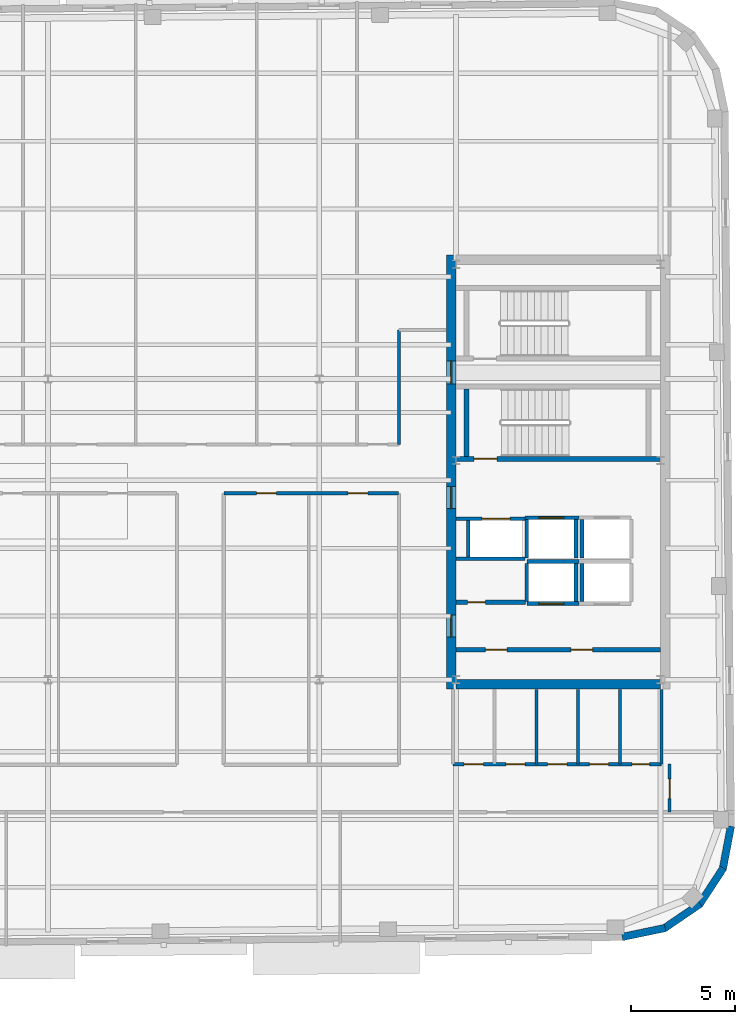
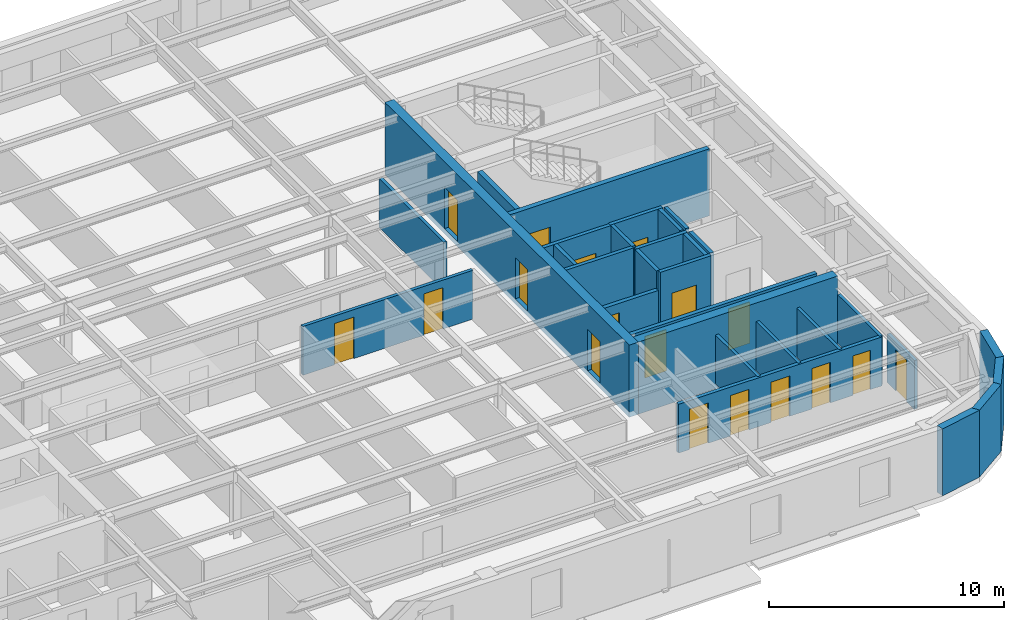
# One storey, part 8 of 13: 30 walls, 18 doors, 18 openings.
"""IFC4 building model written with IfcOpenShell, lengths in metres."""

from ifc_helpers import new_model, si_unit, direction, frame, frame_2d, origin, place, context, subcontext, project, spatial, rectangle, extrude, material, layer, layer_set, type_object, element, fill, save


model = new_model("IFC4")

# Units and contexts
model_context = context("Model", 3, precision=1e-05, world=origin(), true_north=direction((0.0, 1.0)))
body_context = subcontext(model_context, "Body", "Model", "MODEL_VIEW")
ifc_project = project(units=[si_unit("LENGTHUNIT", "METRE"), si_unit("AREAUNIT", "SQUARE_METRE"), si_unit("VOLUMEUNIT", "CUBIC_METRE"), si_unit("PLANEANGLEUNIT", "RADIAN"), si_unit("MASSUNIT", "GRAM", prefix="KILO")], contexts=[model_context])

# Site, building, storey
site_placement = place(None, origin())
site = spatial("IfcSite", under=ifc_project, at=site_placement, CompositionType="ELEMENT")
building_placement = place(site_placement, origin())
building = spatial("IfcBuilding", under=site, at=building_placement, Name="Kolvaren Arena Tower", CompositionType="ELEMENT")
storey_placement = place(building_placement, frame((0.0, 0.0, 301.14990234375)))
storey = spatial("IfcBuildingStorey", under=building, at=storey_placement, Name="L74", CompositionType="ELEMENT", Elevation=301.14990234375)

# Wall, openings, doors
ifc_material_1 = material(Name="Gypsum board acoustic assembly", Category="gypsum")
ifc_layer_1 = layer(ifc_material_1, 0.159912109375)
ifc_layer_set_1 = layer_set([ifc_layer_1], Name="Gypsum board acoustic assembly")
wall_type_1 = type_object("IfcWallType", Name="CORR-160", PredefinedType="PARTITIONING", material=ifc_layer_set_1)
wall_1_placement = place(storey_placement, frame((39.43994140625, 28.3798828125, 0.0), z_axis=(0.0, 0.0, 1.0), x_axis=(1.0, 0.0, 0.0)))
wall_1 = element("IfcWall", 1, at=wall_1_placement, inside=storey, type_object=wall_type_1, Name="Interior Partition Wall (L74)", PredefinedType="PARTITIONING", context=body_context, shape_type="SweptSolid", body=[
    extrude(rectangle(XDim=8.360107421875, YDim=0.159912109375, at=frame_2d((4.18017578125, 0.0))), origin(), (0.0, 0.0, 1.0), 2.5400390625),
])
opening_1_placement = place(wall_1_placement, frame((1.554931640625, 0.0, 0.0)))
opening_1 = element("IfcOpeningElement", 2, at=opening_1_placement, cuts=wall_1, Name="Opening D05", PredefinedType="OPENING", context=body_context, shape_type="SweptSolid", body=[
    extrude(rectangle(XDim=0.949951171875, YDim=2.14990234375, at=frame_2d((0.47509765625, 1.074951171875))), frame((0.0, 0.08984375, 0.0), z_axis=(0.0, -1.0, 0.0), x_axis=(1.0, 0.0, 0.0)), (0.0, 0.0, 1.0), 0.179931640625),
])
opening_2_placement = place(wall_1_placement, frame((5.93505859375, 0.0, 0.0)))
opening_2 = element("IfcOpeningElement", 3, at=opening_2_placement, cuts=wall_1, Name="Opening D05", PredefinedType="OPENING", context=body_context, shape_type="SweptSolid", body=[
    extrude(rectangle(XDim=0.949951171875, YDim=2.14990234375, at=frame_2d((0.47509765625, 1.074951171875))), frame((0.0, 0.08984375, 0.0), z_axis=(0.0, -1.0, 0.0), x_axis=(1.0, 0.0, 0.0)), (0.0, 0.0, 1.0), 0.179931640625),
])
ifc_material_2 = material(Name="Solid-core oak acoustic office door", Category="wood")
door_type_1 = type_object("IfcDoorType", Name="DOOR-OF-095", OperationType="NOTDEFINED", PredefinedType="DOOR", material=ifc_material_2)
door_1_placement = place(opening_1_placement, origin())
door_1 = element("IfcDoor", 4, at=door_1_placement, inside=storey, type_object=door_type_1, Name="Breakout Pantry and Kitchen Door (L74)", OperationType="SINGLE_SWING_RIGHT", OverallHeight=2.14990234375, OverallWidth=0.949951171875, PredefinedType="DOOR", context=body_context, shape_type="SweptSolid", body=[
    extrude(rectangle(XDim=0.949951171875, YDim=2.14990234375, at=frame_2d((0.47509765625, 1.074951171875))), frame((0.0, 0.02490234375, 0.0), z_axis=(0.0, -1.0, 0.0), x_axis=(1.0, 0.0, 0.0)), (0.0, 0.0, 1.0), 0.050048828125),
])
fill(opening_1, door_1)
door_2_placement = place(opening_2_placement, origin())
door_2 = element("IfcDoor", 5, at=door_2_placement, inside=storey, type_object=door_type_1, Name="Open Plan Office Door (L74)", OperationType="SINGLE_SWING_LEFT", OverallHeight=2.14990234375, OverallWidth=0.949951171875, PredefinedType="DOOR", context=body_context, shape_type="SweptSolid", body=[
    extrude(rectangle(XDim=0.949951171875, YDim=2.14990234375, at=frame_2d((0.47509765625, 1.074951171875))), frame((0.0, 0.02490234375, 0.0), z_axis=(0.0, -1.0, 0.0), x_axis=(1.0, 0.0, 0.0)), (0.0, 0.0, 1.0), 0.050048828125),
])
fill(opening_2, door_2)

# Wall
wall_2_placement = place(storey_placement, frame((47.820068359375, 30.719970703125, 0.0), z_axis=(0.0, 0.0, 1.0), x_axis=(0.0, 1.0, 0.0)))
element("IfcWall", 6, at=wall_2_placement, inside=storey, type_object=wall_type_1, Name="Interior Partition Wall (L74)", PredefinedType="PARTITIONING", context=body_context, shape_type="SweptSolid", body=[
    extrude(rectangle(XDim=5.47998046875, YDim=0.159912109375, at=frame_2d((2.739990234375, 0.0))), origin(), (0.0, 0.0, 1.0), 2.5400390625),
])

# Wall, opening, door
wall_3_placement = place(storey_placement, frame((60.780029296875, 13.10009765625, 0.0), z_axis=(0.0, 0.0, 1.0), x_axis=(0.0, 1.0, 0.0)))
wall_3 = element("IfcWall", 7, at=wall_3_placement, inside=storey, type_object=wall_type_1, Name="Interior Partition Wall (L74)", PredefinedType="PARTITIONING", context=body_context, shape_type="SweptSolid", body=[
    extrude(rectangle(XDim=2.2998046875, YDim=0.159912109375, at=frame_2d((1.14990234375, 0.0))), origin(), (0.0, 0.0, 1.0), 2.5400390625),
])
opening_3_placement = place(wall_3_placement, frame((0.64990234375, 0.0, 0.0)))
opening_3 = element("IfcOpeningElement", 8, at=opening_3_placement, cuts=wall_3, Name="Opening D05", PredefinedType="OPENING", context=body_context, shape_type="SweptSolid", body=[
    extrude(rectangle(XDim=0.949951171875, YDim=2.14990234375, at=frame_2d((0.47509765625, 1.074951171875))), frame((0.0, 0.08984375, 0.0), z_axis=(0.0, -1.0, 0.0), x_axis=(1.0, 0.0, 0.0)), (0.0, 0.0, 1.0), 0.179931640625),
])
door_3_placement = place(opening_3_placement, origin())
door_3 = element("IfcDoor", 9, at=door_3_placement, inside=storey, type_object=door_type_1, Name="East Wing Studio Door (L74)", OperationType="SINGLE_SWING_RIGHT", OverallHeight=2.14990234375, OverallWidth=0.949951171875, PredefinedType="DOOR", context=body_context, shape_type="SweptSolid", body=[
    extrude(rectangle(XDim=0.949951171875, YDim=2.14990234375, at=frame_2d((0.47509765625, 1.074951171875))), frame((0.0, 0.02490234375, 0.0), z_axis=(0.0, -1.0, 0.0), x_axis=(1.0, 0.0, 0.0)), (0.0, 0.0, 1.0), 0.050048828125),
])
fill(opening_3, door_3)

# Wall, openings, doors
ifc_material_3 = material(Name="Concrete 55 MPa", Category="concrete")
ifc_layer_2 = layer(ifc_material_3, 0.449951171875)
ifc_layer_set_2 = layer_set([ifc_layer_2], Name="Concrete 55 MPa")
wall_type_2 = type_object("IfcWallType", Name="CWALL-450", PredefinedType="SHEAR", material=ifc_layer_set_2)
wall_4_placement = place(storey_placement, frame((50.324951171875, 19.0, -0.27001953125), z_axis=(0.0, 0.0, 1.0), x_axis=(0.0, 1.0, 0.0)))
wall_4 = element("IfcWall", 10, at=wall_4_placement, inside=storey, type_object=wall_type_2, Name="Core Shear Wall EC-WEST (L74)", PredefinedType="SHEAR", context=body_context, shape_type="SweptSolid", body=[
    extrude(rectangle(XDim=20.800048828125, YDim=0.449951171875, at=frame_2d((10.39990234375, 0.0))), origin(), (0.0, 0.0, 1.0), 3.75),
])
opening_4_placement = place(wall_4_placement, frame((2.5, 0.0, 0.27001953125)))
opening_4 = element("IfcOpeningElement", 11, at=opening_4_placement, cuts=wall_4, Name="Opening D04", PredefinedType="OPENING", context=body_context, shape_type="SweptSolid", body=[
    extrude(rectangle(XDim=1.050048828125, YDim=2.14990234375, at=frame_2d((0.52490234375, 1.074951171875))), frame((0.0, 0.23486328125, 0.0), z_axis=(0.0, -1.0, 0.0), x_axis=(1.0, 0.0, 0.0)), (0.0, 0.0, 1.0), 0.469970703125),
])
opening_5_placement = place(wall_4_placement, frame((8.64990234375, 0.0, 0.27001953125)))
opening_5 = element("IfcOpeningElement", 12, at=opening_5_placement, cuts=wall_4, Name="Opening D04", PredefinedType="OPENING", context=body_context, shape_type="SweptSolid", body=[
    extrude(rectangle(XDim=1.050048828125, YDim=2.14990234375, at=frame_2d((0.52490234375, 1.074951171875))), frame((0.0, 0.23486328125, 0.0), z_axis=(0.0, -1.0, 0.0), x_axis=(1.0, 0.0, 0.0)), (0.0, 0.0, 1.0), 0.469970703125),
])
opening_6_placement = place(wall_4_placement, frame((14.6201171875, 0.0, 0.27001953125)))
opening_6 = element("IfcOpeningElement", 13, at=opening_6_placement, cuts=wall_4, Name="Opening D03", PredefinedType="OPENING", context=body_context, shape_type="SweptSolid", body=[
    extrude(rectangle(XDim=1.10009765625, YDim=2.14990234375, at=frame_2d((0.550048828125, 1.074951171875))), frame((0.0, 0.23486328125, 0.0), z_axis=(0.0, -1.0, 0.0), x_axis=(1.0, 0.0, 0.0)), (0.0, 0.0, 1.0), 0.469970703125),
])
ifc_material_4 = material(Name="Fire-rated steel lobby door", Category="steel")
door_type_2 = type_object("IfcDoorType", Name="DOOR-FF-105", OperationType="NOTDEFINED", PredefinedType="DOOR", material=ifc_material_4)
door_4_placement = place(opening_4_placement, origin())
door_4 = element("IfcDoor", 14, at=door_4_placement, inside=storey, type_object=door_type_2, Name="East Lift Lobby Fire Door (L74)", OperationType="SINGLE_SWING_RIGHT", OverallHeight=2.14990234375, OverallWidth=1.050048828125, PredefinedType="DOOR", context=body_context, shape_type="SweptSolid", body=[
    extrude(rectangle(XDim=1.050048828125, YDim=2.14990234375, at=frame_2d((0.52490234375, 1.074951171875))), frame((0.0, 0.02490234375, 0.0), z_axis=(0.0, -1.0, 0.0), x_axis=(1.0, 0.0, 0.0)), (0.0, 0.0, 1.0), 0.050048828125),
])
fill(opening_4, door_4)
door_5_placement = place(opening_5_placement, origin())
door_5 = element("IfcDoor", 15, at=door_5_placement, inside=storey, type_object=door_type_2, Name="East Firefighter Vestibule Door (L74)", OperationType="SINGLE_SWING_LEFT", OverallHeight=2.14990234375, OverallWidth=1.050048828125, PredefinedType="DOOR", context=body_context, shape_type="SweptSolid", body=[
    extrude(rectangle(XDim=1.050048828125, YDim=2.14990234375, at=frame_2d((0.52490234375, 1.074951171875))), frame((0.0, 0.02490234375, 0.0), z_axis=(0.0, -1.0, 0.0), x_axis=(1.0, 0.0, 0.0)), (0.0, 0.0, 1.0), 0.050048828125),
])
fill(opening_5, door_5)
ifc_material_5 = material(Name="Fire-rated steel exit stair door", Category="steel")
door_type_3 = type_object("IfcDoorType", Name="DOOR-ST-110", OperationType="NOTDEFINED", PredefinedType="DOOR", material=ifc_material_5)
door_6_placement = place(opening_6_placement, origin())
door_6 = element("IfcDoor", 16, at=door_6_placement, inside=storey, type_object=door_type_3, Name="Stair ST-E2 Vestibule Fire Door (L74)", OperationType="SINGLE_SWING_LEFT", OverallHeight=2.14990234375, OverallWidth=1.10009765625, PredefinedType="DOOR", context=body_context, shape_type="SweptSolid", body=[
    extrude(rectangle(XDim=1.10009765625, YDim=2.14990234375, at=frame_2d((0.550048828125, 1.074951171875))), frame((0.0, 0.02490234375, 0.0), z_axis=(0.0, -1.0, 0.0), x_axis=(1.0, 0.0, 0.0)), (0.0, 0.0, 1.0), 0.050048828125),
])
fill(opening_6, door_6)

# Walls
wall_5_placement = place(storey_placement, frame((50.550048828125, 19.22509765625, -0.27001953125), z_axis=(0.0, 0.0, 1.0), x_axis=(1.0, 0.0, 0.0)))
element("IfcWall", 17, at=wall_5_placement, inside=storey, type_object=wall_type_2, Name="Core Shear Wall EC-SOUTH (L74)", PredefinedType="SHEAR", context=body_context, shape_type="SweptSolid", body=[
    extrude(rectangle(XDim=9.800048828125, YDim=0.449951171875, at=frame_2d((4.89990234375, 0.0))), origin(), (0.0, 0.0, 1.0), 3.75),
])
ifc_material_6 = material(Name="Precast concrete C50/60", Category="concrete")
ifc_layer_3 = layer(ifc_material_6, 0.360107421875)
ifc_layer_set_3 = layer_set([ifc_layer_3], Name="Precast concrete C50/60")
wall_type_3 = type_object("IfcWallType", Name="EXT-PIER2", PredefinedType="SOLIDWALL", material=ifc_layer_set_3)
wall_6_placement = place(storey_placement, frame((60.572265625, 7.54931640625, 0.0), z_axis=(0.0, 0.0, 1.0), x_axis=(-0.979059388908, -0.203574833883, 0.0)))
element("IfcWall", 18, at=wall_6_placement, inside=storey, type_object=wall_type_3, Name="Exterior Precast Masonry-Frame Wall (L74)", PredefinedType="SOLIDWALL", context=body_context, shape_type="SweptSolid", body=[
    extrude(rectangle(XDim=2.107177734375, YDim=0.360107421875, at=frame_2d((1.0537109375, 0.0))), origin(), (0.0, 0.0, 1.0), 3.47998046875),
])
for number, where, z_axis, x_axis, name in (
    (19, (62.2490234375, 8.707763671875, 0.0), (0.0, 0.0, 1.0), (-0.826572866302, -0.562829722645, 0.0), "Exterior Precast Masonry-Frame Wall (L74)"),
    (20, (63.35498046875, 10.419921875, 0.0), (0.0, 0.0, 1.0), (-0.54818559406, -0.836356714844, 0.0), "Exterior Precast Masonry-Frame Wall (L74)"),
    (21, (63.7216796875, 12.4248046875, 0.0), (0.0, 0.0, 1.0), (-0.186435855703, -0.98246713518, 0.0), "Exterior Precast Masonry-Frame Wall (L74)"),
):
    element("IfcWall", number, at=place(storey_placement, frame(where, z_axis=z_axis, x_axis=x_axis)), inside=storey, type_object=wall_type_3, Name=name, PredefinedType="SOLIDWALL", context=body_context, shape_type="SweptSolid", body=[
        extrude(rectangle(XDim=2.10693359375, YDim=0.360107421875, at=frame_2d((1.053466796875, 0.0))), origin(), (0.0, 0.0, 1.0), 3.47998046875),
    ])

# Wall, openings, doors
ifc_material_7 = material(Name="Concrete 40 MPa", Category="concrete")
ifc_layer_4 = layer(ifc_material_7, 0.199951171875)
ifc_layer_set_4 = layer_set([ifc_layer_4], Name="Concrete 40 MPa")
wall_type_4 = type_object("IfcWallType", Name="LOBBY-200", PredefinedType="SOLIDWALL", material=ifc_layer_set_4)
wall_7_placement = place(storey_placement, frame((50.550048828125, 20.8798828125, 0.0), z_axis=(0.0, 0.0, 1.0), x_axis=(1.0, 0.0, 0.0)))
wall_7 = element("IfcWall", 22, at=wall_7_placement, inside=storey, type_object=wall_type_4, Name="Core Shaft Wall (L74)", PredefinedType="SOLIDWALL", context=body_context, shape_type="SweptSolid", body=[
    extrude(rectangle(XDim=9.800048828125, YDim=0.199951171875, at=frame_2d((4.89990234375, 0.0))), origin(), (0.0, 0.0, 1.0), 2.5400390625),
])
opening_7_placement = place(wall_7_placement, frame((1.39990234375, 0.0, 0.0)))
opening_7 = element("IfcOpeningElement", 23, at=opening_7_placement, cuts=wall_7, Name="Opening D04", PredefinedType="OPENING", context=body_context, shape_type="SweptSolid", body=[
    extrude(rectangle(XDim=1.050048828125, YDim=2.14990234375, at=frame_2d((0.52490234375, 1.074951171875))), frame((0.0, 0.10986328125, 0.0), z_axis=(0.0, -1.0, 0.0), x_axis=(1.0, 0.0, 0.0)), (0.0, 0.0, 1.0), 0.219970703125),
])
opening_8_placement = place(wall_7_placement, frame((5.5, 0.0, 0.0)))
opening_8 = element("IfcOpeningElement", 24, at=opening_8_placement, cuts=wall_7, Name="Opening D04", PredefinedType="OPENING", context=body_context, shape_type="SweptSolid", body=[
    extrude(rectangle(XDim=1.050048828125, YDim=2.14990234375, at=frame_2d((0.52490234375, 1.074951171875))), frame((0.0, 0.10986328125, 0.0), z_axis=(0.0, -1.0, 0.0), x_axis=(1.0, 0.0, 0.0)), (0.0, 0.0, 1.0), 0.219970703125),
])
door_7_placement = place(opening_7_placement, origin())
door_7 = element("IfcDoor", 25, at=door_7_placement, inside=storey, type_object=door_type_2, Name="East Telecom Room Fire Door (L74)", OperationType="SINGLE_SWING_RIGHT", OverallHeight=2.14990234375, OverallWidth=1.050048828125, PredefinedType="DOOR", context=body_context, shape_type="SweptSolid", body=[
    extrude(rectangle(XDim=1.050048828125, YDim=2.14990234375, at=frame_2d((0.52490234375, 1.074951171875))), frame((0.0, 0.02490234375, 0.0), z_axis=(0.0, -1.0, 0.0), x_axis=(1.0, 0.0, 0.0)), (0.0, 0.0, 1.0), 0.050048828125),
])
fill(opening_7, door_7)
door_8_placement = place(opening_8_placement, origin())
door_8 = element("IfcDoor", 26, at=door_8_placement, inside=storey, type_object=door_type_2, Name="East Records Room Fire Door (L74)", OperationType="SINGLE_SWING_LEFT", OverallHeight=2.14990234375, OverallWidth=1.050048828125, PredefinedType="DOOR", context=body_context, shape_type="SweptSolid", body=[
    extrude(rectangle(XDim=1.050048828125, YDim=2.14990234375, at=frame_2d((0.52490234375, 1.074951171875))), frame((0.0, 0.02490234375, 0.0), z_axis=(0.0, -1.0, 0.0), x_axis=(1.0, 0.0, 0.0)), (0.0, 0.0, 1.0), 0.050048828125),
])
fill(opening_8, door_8)

# Wall, opening, door
wall_8_placement = place(storey_placement, frame((50.550048828125, 23.159912109375, 0.0), z_axis=(0.0, 0.0, 1.0), x_axis=(1.0, 0.0, 0.0)))
wall_8 = element("IfcWall", 27, at=wall_8_placement, inside=storey, type_object=wall_type_4, Name="Core Shaft Wall (L74)", PredefinedType="SOLIDWALL", context=body_context, shape_type="SweptSolid", body=[
    extrude(rectangle(XDim=3.329833984375, YDim=0.199951171875, at=frame_2d((1.6650390625, 0.0))), origin(), (0.0, 0.0, 1.0), 2.5400390625),
])
opening_9_placement = place(wall_8_placement, frame((0.550048828125, 0.0, 0.0)))
opening_9 = element("IfcOpeningElement", 28, at=opening_9_placement, cuts=wall_8, Name="Opening D09", PredefinedType="OPENING", context=body_context, shape_type="SweptSolid", body=[
    extrude(rectangle(XDim=0.860107421875, YDim=2.050048828125, at=frame_2d((0.43017578125, 1.02490234375))), frame((0.0, 0.10986328125, 0.0), z_axis=(0.0, -1.0, 0.0), x_axis=(1.0, 0.0, 0.0)), (0.0, 0.0, 1.0), 0.219970703125),
])
ifc_material_8 = material(Name="Fire-rated steel riser access door", Category="steel")
door_type_4 = type_object("IfcDoorType", Name="DOOR-RS-086", OperationType="NOTDEFINED", PredefinedType="DOOR", material=ifc_material_8)
door_9_placement = place(opening_9_placement, origin())
door_9 = element("IfcDoor", 29, at=door_9_placement, inside=storey, type_object=door_type_4, Name="East AV Riser Closet Door (L74)", OperationType="SINGLE_SWING_LEFT", OverallHeight=2.050048828125, OverallWidth=0.860107421875, PredefinedType="DOOR", context=body_context, shape_type="SweptSolid", body=[
    extrude(rectangle(XDim=0.860107421875, YDim=2.050048828125, at=frame_2d((0.43017578125, 1.02490234375))), frame((0.0, 0.02490234375, 0.0), z_axis=(0.0, -1.0, 0.0), x_axis=(1.0, 0.0, 0.0)), (0.0, 0.0, 1.0), 0.050048828125),
])
fill(opening_9, door_9)

ifc_material_9 = material(Name="Concrete 45 MPa", Category="concrete")
ifc_layer_5 = layer(ifc_material_9, 0.25)
ifc_layer_set_5 = layer_set([ifc_layer_5], Name="Concrete 45 MPa")
wall_type_5 = type_object("IfcWallType", Name="SHAFT-250", PredefinedType="SOLIDWALL", material=ifc_layer_set_5)
wall_9_placement = place(storey_placement, frame((60.35009765625, 30.030029296875, 0.0), z_axis=(0.0, 0.0, 1.0), x_axis=(-1.0, 0.0, 0.0)))
wall_9 = element("IfcWall", 30, at=wall_9_placement, inside=storey, type_object=wall_type_5, Name="Core Shaft Wall (L74)", PredefinedType="SOLIDWALL", context=body_context, shape_type="SweptSolid", body=[
    extrude(rectangle(XDim=9.800048828125, YDim=0.239990234375, at=frame_2d((4.89990234375, 0.0))), origin(), (0.0, 0.0, 1.0), 3.47998046875),
])
opening_10_placement = place(wall_9_placement, frame((7.830078125, 0.0, 0.0)))
opening_10 = element("IfcOpeningElement", 31, at=opening_10_placement, cuts=wall_9, Name="Opening D03", PredefinedType="OPENING", context=body_context, shape_type="SweptSolid", body=[
    extrude(rectangle(XDim=1.10009765625, YDim=2.14990234375, at=frame_2d((0.550048828125, 1.074951171875))), frame((0.0, 0.1298828125, 0.0), z_axis=(0.0, -1.0, 0.0), x_axis=(1.0, 0.0, 0.0)), (0.0, 0.0, 1.0), 0.260009765625),
])
door_10_placement = place(opening_10_placement, origin())
door_10 = element("IfcDoor", 32, at=door_10_placement, inside=storey, type_object=door_type_3, Name="Stair ST-E1 Fire Door (L74)", OperationType="SINGLE_SWING_LEFT", OverallHeight=2.14990234375, OverallWidth=1.10009765625, PredefinedType="DOOR", context=body_context, shape_type="SweptSolid", body=[
    extrude(rectangle(XDim=1.10009765625, YDim=2.14990234375, at=frame_2d((0.550048828125, 1.074951171875))), frame((0.0, 0.02490234375, 0.0), z_axis=(0.0, -1.0, 0.0), x_axis=(1.0, 0.0, 0.0)), (0.0, 0.0, 1.0), 0.050048828125),
])
fill(opening_10, door_10)

# Walls
wall_10_placement = place(storey_placement, frame((51.06005859375, 30.14990234375, 0.0), z_axis=(0.0, 0.0, 1.0), x_axis=(0.0, 1.0, 0.0)))
element("IfcWall", 33, at=wall_10_placement, inside=storey, type_object=wall_type_5, Name="Core Shaft Wall (L74)", PredefinedType="SOLIDWALL", context=body_context, shape_type="SweptSolid", body=[
    extrude(rectangle(XDim=3.22998046875, YDim=0.239990234375, at=frame_2d((1.614990234375, 0.0))), origin(), (0.0, 0.0, 1.0), 3.47998046875),
])
wall_11_placement = place(storey_placement, frame((53.93994140625, 25.10498046875, 0.0), z_axis=(0.0, 0.0, 1.0), x_axis=(1.0, 0.0, 0.0)))
element("IfcWall", 34, at=wall_11_placement, inside=storey, type_object=wall_type_5, Name="Core Shaft Wall (L74)", PredefinedType="SOLIDWALL", context=body_context, shape_type="SweptSolid", body=[
    extrude(rectangle(XDim=2.5, YDim=0.179931640625, at=frame_2d((1.25, 0.0))), origin(), (0.0, 0.0, 1.0), 3.47998046875),
])

# Wall, opening, door
wall_12_placement = place(storey_placement, frame((53.93994140625, 23.094970703125, 0.0), z_axis=(0.0, 0.0, 1.0), x_axis=(1.0, 0.0, 0.0)))
wall_12 = element("IfcWall", 35, at=wall_12_placement, inside=storey, type_object=wall_type_5, Name="Core Shaft Wall (L74)", PredefinedType="SOLIDWALL", context=body_context, shape_type="SweptSolid", body=[
    extrude(rectangle(XDim=2.5, YDim=0.179931640625, at=frame_2d((1.25, 0.0))), origin(), (0.0, 0.0, 1.0), 3.47998046875),
])
opening_11_placement = place(wall_12_placement, frame((0.580078125, 0.0, 0.0)))
opening_11 = element("IfcOpeningElement", 36, at=opening_11_placement, cuts=wall_12, Name="Opening LD1", PredefinedType="OPENING", context=body_context, shape_type="SweptSolid", body=[
    extrude(rectangle(XDim=1.199951171875, YDim=2.199951171875, at=frame_2d((0.60009765625, 1.10009765625))), frame((0.0, 0.099853515625, 0.0), z_axis=(0.0, -1.0, 0.0), x_axis=(1.0, 0.0, 0.0)), (0.0, 0.0, 1.0), 0.199951171875),
])
ifc_material_10 = material(Name="Stainless steel passenger lift landing door", Category="steel")
door_type_5 = type_object("IfcDoorType", Name="DOOR-LD-120", OperationType="DOUBLE_DOOR_SLIDING", PredefinedType="DOOR", material=ifc_material_10)
door_11_placement = place(opening_11_placement, origin())
door_11 = element("IfcDoor", 37, at=door_11_placement, inside=storey, type_object=door_type_5, Name="Lift EL-HR1 Landing Door (L74)", OperationType="DOUBLE_DOOR_SLIDING", OverallHeight=2.199951171875, OverallWidth=1.199951171875, PredefinedType="DOOR", context=body_context, shape_type="SweptSolid", body=[
    extrude(rectangle(XDim=1.199951171875, YDim=2.199951171875, at=frame_2d((0.60009765625, 1.10009765625))), frame((0.0, 0.02490234375, 0.0), z_axis=(0.0, -1.0, 0.0), x_axis=(1.0, 0.0, 0.0)), (0.0, 0.0, 1.0), 0.050048828125),
])
fill(opening_11, door_11)

# Walls
for number, where, z_axis, x_axis, name in (
    (38, (53.93994140625, 23.18505859375, 0.0), (0.0, 0.0, 1.0), (0.0, 1.0, 0.0), "Core Shaft Wall (L74)"),
    (39, (56.300048828125, 23.18505859375, 0.0), (0.0, 0.0, 1.0), (0.0, 1.0, 0.0), "Core Shaft Wall (L74)"),
    (40, (56.580078125, 23.18505859375, 0.0), (0.0, 0.0, 1.0), (0.0, 1.0, 0.0), "Core Shaft Wall (L74)"),
):
    element("IfcWall", number, at=place(storey_placement, frame(where, z_axis=z_axis, x_axis=x_axis)), inside=storey, type_object=wall_type_5, Name=name, PredefinedType="SOLIDWALL", context=body_context, shape_type="SweptSolid", body=[
        extrude(rectangle(XDim=1.829833984375, YDim=0.179931640625, at=frame_2d((0.9150390625, 0.0))), origin(), (0.0, 0.0, 1.0), 3.47998046875),
    ])

# Wall, opening, door
wall_13_placement = place(storey_placement, frame((53.864990234375, 27.205078125, 0.0), z_axis=(0.0, 0.0, 1.0), x_axis=(1.0, 0.0, 0.0)))
wall_13 = element("IfcWall", 41, at=wall_13_placement, inside=storey, type_object=wall_type_5, Name="Core Shaft Wall (L74)", PredefinedType="SOLIDWALL", context=body_context, shape_type="SweptSolid", body=[
    extrude(rectangle(XDim=2.574951171875, YDim=0.179931640625, at=frame_2d((1.28759765625, 0.0))), origin(), (0.0, 0.0, 1.0), 3.47998046875),
])
opening_12_placement = place(wall_13_placement, frame((0.655029296875, 0.0, 0.0)))
opening_12 = element("IfcOpeningElement", 42, at=opening_12_placement, cuts=wall_13, Name="Opening LD1", PredefinedType="OPENING", context=body_context, shape_type="SweptSolid", body=[
    extrude(rectangle(XDim=1.199951171875, YDim=2.199951171875, at=frame_2d((0.60009765625, 1.10009765625))), frame((0.0, 0.099853515625, 0.0), z_axis=(0.0, -1.0, 0.0), x_axis=(1.0, 0.0, 0.0)), (0.0, 0.0, 1.0), 0.199951171875),
])
door_12_placement = place(opening_12_placement, origin())
door_12 = element("IfcDoor", 43, at=door_12_placement, inside=storey, type_object=door_type_5, Name="Lift EL-HR3 Landing Door (L74)", OperationType="DOUBLE_DOOR_SLIDING", OverallHeight=2.199951171875, OverallWidth=1.199951171875, PredefinedType="DOOR", context=body_context, shape_type="SweptSolid", body=[
    extrude(rectangle(XDim=1.199951171875, YDim=2.199951171875, at=frame_2d((0.60009765625, 1.10009765625))), frame((0.0, 0.02490234375, 0.0), z_axis=(0.0, -1.0, 0.0), x_axis=(1.0, 0.0, 0.0)), (0.0, 0.0, 1.0), 0.050048828125),
])
fill(opening_12, door_12)

# Walls
for number, where, z_axis, x_axis, name in (
    (44, (53.93994140625, 25.284912109375, 0.0), (0.0, 0.0, 1.0), (0.0, 1.0, 0.0), "Core Shaft Wall (L74)"),
    (45, (56.300048828125, 25.284912109375, 0.0), (0.0, 0.0, 1.0), (0.0, 1.0, 0.0), "Core Shaft Wall (L74)"),
    (46, (56.580078125, 25.284912109375, 0.0), (0.0, 0.0, 1.0), (0.0, 1.0, 0.0), "Core Shaft Wall (L74)"),
):
    element("IfcWall", number, at=place(storey_placement, frame(where, z_axis=z_axis, x_axis=x_axis)), inside=storey, type_object=wall_type_5, Name=name, PredefinedType="SOLIDWALL", context=body_context, shape_type="SweptSolid", body=[
        extrude(rectangle(XDim=1.830078125, YDim=0.179931640625, at=frame_2d((0.9150390625, 0.0))), origin(), (0.0, 0.0, 1.0), 3.47998046875),
    ])

# Wall, opening, door
wall_14_placement = place(storey_placement, frame((50.550048828125, 27.155029296875, 0.0), z_axis=(0.0, 0.0, 1.0), x_axis=(1.0, 0.0, 0.0)))
wall_14 = element("IfcWall", 47, at=wall_14_placement, inside=storey, type_object=wall_type_5, Name="Core Shaft Wall (L74)", PredefinedType="SOLIDWALL", context=body_context, shape_type="SweptSolid", body=[
    extrude(rectangle(XDim=3.31494140625, YDim=0.179931640625, at=frame_2d((1.657470703125, 0.0))), origin(), (0.0, 0.0, 1.0), 3.47998046875),
])
opening_13_placement = place(wall_14_placement, frame((1.235107421875, 0.0, 0.0)))
opening_13 = element("IfcOpeningElement", 48, at=opening_13_placement, cuts=wall_14, Name="Opening LD2", PredefinedType="OPENING", context=body_context, shape_type="SweptSolid", body=[
    extrude(rectangle(XDim=1.35009765625, YDim=2.300048828125, at=frame_2d((0.675048828125, 1.14990234375))), frame((0.0, 0.099853515625, 0.0), z_axis=(0.0, -1.0, 0.0), x_axis=(1.0, 0.0, 0.0)), (0.0, 0.0, 1.0), 0.199951171875),
])
ifc_material_11 = material(Name="Stainless steel firefighter lift landing door", Category="steel")
door_type_6 = type_object("IfcDoorType", Name="DOOR-LD-135", OperationType="DOUBLE_DOOR_SLIDING", PredefinedType="DOOR", material=ifc_material_11)
door_13_placement = place(opening_13_placement, origin())
door_13 = element("IfcDoor", 49, at=door_13_placement, inside=storey, type_object=door_type_6, Name="Firefighter Lift FF-E1 Landing Door (L74)", OperationType="DOUBLE_DOOR_SLIDING", OverallHeight=2.300048828125, OverallWidth=1.35009765625, PredefinedType="DOOR", context=body_context, shape_type="SweptSolid", body=[
    extrude(rectangle(XDim=1.35009765625, YDim=2.300048828125, at=frame_2d((0.675048828125, 1.14990234375))), frame((0.0, 0.02490234375, 0.0), z_axis=(0.0, -1.0, 0.0), x_axis=(1.0, 0.0, 0.0)), (0.0, 0.0, 1.0), 0.050048828125),
])
fill(opening_13, door_13)

# Walls
wall_15_placement = place(storey_placement, frame((50.550048828125, 25.2451171875, 0.0), z_axis=(0.0, 0.0, 1.0), x_axis=(1.0, 0.0, 0.0)))
element("IfcWall", 50, at=wall_15_placement, inside=storey, type_object=wall_type_5, Name="Core Shaft Wall (L74)", PredefinedType="SOLIDWALL", context=body_context, shape_type="SweptSolid", body=[
    extrude(rectangle(XDim=3.31494140625, YDim=0.179931640625, at=frame_2d((1.657470703125, 0.0))), origin(), (0.0, 0.0, 1.0), 3.47998046875),
])
wall_16_placement = place(storey_placement, frame((51.1298828125, 25.3349609375, 0.0), z_axis=(0.0, 0.0, 1.0), x_axis=(0.0, 1.0, 0.0)))
element("IfcWall", 51, at=wall_16_placement, inside=storey, type_object=wall_type_5, Name="Core Shaft Wall (L74)", PredefinedType="SOLIDWALL", context=body_context, shape_type="SweptSolid", body=[
    extrude(rectangle(XDim=1.72998046875, YDim=0.179931640625, at=frame_2d((0.864990234375, 0.0))), origin(), (0.0, 0.0, 1.0), 3.47998046875),
])

# Wall, openings, doors
wall_17_placement = place(storey_placement, frame((50.39990234375, 15.39990234375, 0.0), z_axis=(0.0, 0.0, 1.0), x_axis=(1.0, 0.0, 0.0)))
wall_17 = element("IfcWall", 52, at=wall_17_placement, inside=storey, type_object=wall_type_5, Name="Interior Partition Wall (L74)", PredefinedType="SOLIDWALL", context=body_context, shape_type="SweptSolid", body=[
    extrude(rectangle(XDim=10.0, YDim=0.179931640625, at=frame_2d((5.0, 0.0))), origin(), (0.0, 0.0, 1.0), 2.5400390625),
])
opening_14_placement = place(wall_17_placement, frame((0.5400390625, 0.0, 0.0)))
opening_14 = element("IfcOpeningElement", 53, at=opening_14_placement, cuts=wall_17, Name="Opening D07", PredefinedType="OPENING", context=body_context, shape_type="SweptSolid", body=[
    extrude(rectangle(XDim=0.919921875, YDim=2.10009765625, at=frame_2d((0.4599609375, 1.050048828125))), frame((0.0, 0.099853515625, 0.0), z_axis=(0.0, -1.0, 0.0), x_axis=(1.0, 0.0, 0.0)), (0.0, 0.0, 1.0), 0.199951171875),
])
opening_15_placement = place(wall_17_placement, frame((2.5400390625, 0.0, 0.0)))
opening_15 = element("IfcOpeningElement", 54, at=opening_15_placement, cuts=wall_17, Name="Opening D07", PredefinedType="OPENING", context=body_context, shape_type="SweptSolid", body=[
    extrude(rectangle(XDim=0.919921875, YDim=2.10009765625, at=frame_2d((0.4599609375, 1.050048828125))), frame((0.0, 0.099853515625, 0.0), z_axis=(0.0, -1.0, 0.0), x_axis=(1.0, 0.0, 0.0)), (0.0, 0.0, 1.0), 0.199951171875),
])
opening_16_placement = place(wall_17_placement, frame((4.5400390625, 0.0, 0.0)))
opening_16 = element("IfcOpeningElement", 55, at=opening_16_placement, cuts=wall_17, Name="Opening D07", PredefinedType="OPENING", context=body_context, shape_type="SweptSolid", body=[
    extrude(rectangle(XDim=0.919921875, YDim=2.10009765625, at=frame_2d((0.4599609375, 1.050048828125))), frame((0.0, 0.099853515625, 0.0), z_axis=(0.0, -1.0, 0.0), x_axis=(1.0, 0.0, 0.0)), (0.0, 0.0, 1.0), 0.199951171875),
])
opening_17_placement = place(wall_17_placement, frame((6.5400390625, 0.0, 0.0)))
opening_17 = element("IfcOpeningElement", 56, at=opening_17_placement, cuts=wall_17, Name="Opening D07", PredefinedType="OPENING", context=body_context, shape_type="SweptSolid", body=[
    extrude(rectangle(XDim=0.919921875, YDim=2.10009765625, at=frame_2d((0.4599609375, 1.050048828125))), frame((0.0, 0.099853515625, 0.0), z_axis=(0.0, -1.0, 0.0), x_axis=(1.0, 0.0, 0.0)), (0.0, 0.0, 1.0), 0.199951171875),
])
opening_18_placement = place(wall_17_placement, frame((8.570068359375, 0.0, 0.0)))
opening_18 = element("IfcOpeningElement", 57, at=opening_18_placement, cuts=wall_17, Name="Opening D09", PredefinedType="OPENING", context=body_context, shape_type="SweptSolid", body=[
    extrude(rectangle(XDim=0.860107421875, YDim=2.050048828125, at=frame_2d((0.43017578125, 1.02490234375))), frame((0.0, 0.099853515625, 0.0), z_axis=(0.0, -1.0, 0.0), x_axis=(1.0, 0.0, 0.0)), (0.0, 0.0, 1.0), 0.199951171875),
])
door_14_placement = place(opening_18_placement, origin())
door_14 = element("IfcDoor", 58, at=door_14_placement, inside=storey, type_object=door_type_4, Name="Telecom Riser Closet Door (L74)", OperationType="SINGLE_SWING_RIGHT", OverallHeight=2.050048828125, OverallWidth=0.860107421875, PredefinedType="DOOR", context=body_context, shape_type="SweptSolid", body=[
    extrude(rectangle(XDim=0.860107421875, YDim=2.050048828125, at=frame_2d((0.43017578125, 1.02490234375))), frame((0.0, 0.02490234375, 0.0), z_axis=(0.0, -1.0, 0.0), x_axis=(1.0, 0.0, 0.0)), (0.0, 0.0, 1.0), 0.050048828125),
])
fill(opening_18, door_14)
ifc_material_12 = material(Name="Laminate universal washroom door", Category="wood")
door_type_7 = type_object("IfcDoorType", Name="DOOR-WC-092", OperationType="NOTDEFINED", PredefinedType="DOOR", material=ifc_material_12)
door_15_placement = place(opening_14_placement, origin())
door_15 = element("IfcDoor", 59, at=door_15_placement, inside=storey, type_object=door_type_7, Name="First Aid Store Door (L74)", OperationType="SINGLE_SWING_RIGHT", OverallHeight=2.10009765625, OverallWidth=0.919921875, PredefinedType="DOOR", context=body_context, shape_type="SweptSolid", body=[
    extrude(rectangle(XDim=0.919921875, YDim=2.10009765625, at=frame_2d((0.4599609375, 1.050048828125))), frame((0.0, 0.02490234375, 0.0), z_axis=(0.0, -1.0, 0.0), x_axis=(1.0, 0.0, 0.0)), (0.0, 0.0, 1.0), 0.050048828125),
])
fill(opening_14, door_15)
door_16_placement = place(opening_15_placement, origin())
door_16 = element("IfcDoor", 60, at=door_16_placement, inside=storey, type_object=door_type_7, Name="Cleaner and Janitor Store Door (L74)", OperationType="SINGLE_SWING_LEFT", OverallHeight=2.10009765625, OverallWidth=0.919921875, PredefinedType="DOOR", context=body_context, shape_type="SweptSolid", body=[
    extrude(rectangle(XDim=0.919921875, YDim=2.10009765625, at=frame_2d((0.4599609375, 1.050048828125))), frame((0.0, 0.02490234375, 0.0), z_axis=(0.0, -1.0, 0.0), x_axis=(1.0, 0.0, 0.0)), (0.0, 0.0, 1.0), 0.050048828125),
])
fill(opening_15, door_16)
door_17_placement = place(opening_16_placement, origin())
door_17 = element("IfcDoor", 61, at=door_17_placement, inside=storey, type_object=door_type_7, Name="Staff Pantry Door (L74)", OperationType="SINGLE_SWING_RIGHT", OverallHeight=2.10009765625, OverallWidth=0.919921875, PredefinedType="DOOR", context=body_context, shape_type="SweptSolid", body=[
    extrude(rectangle(XDim=0.919921875, YDim=2.10009765625, at=frame_2d((0.4599609375, 1.050048828125))), frame((0.0, 0.02490234375, 0.0), z_axis=(0.0, -1.0, 0.0), x_axis=(1.0, 0.0, 0.0)), (0.0, 0.0, 1.0), 0.050048828125),
])
fill(opening_16, door_17)
door_18_placement = place(opening_17_placement, origin())
door_18 = element("IfcDoor", 62, at=door_18_placement, inside=storey, type_object=door_type_7, Name="Gender-Neutral Washroom Door (L74)", OperationType="SINGLE_SWING_LEFT", OverallHeight=2.10009765625, OverallWidth=0.919921875, PredefinedType="DOOR", context=body_context, shape_type="SweptSolid", body=[
    extrude(rectangle(XDim=0.919921875, YDim=2.10009765625, at=frame_2d((0.4599609375, 1.050048828125))), frame((0.0, 0.02490234375, 0.0), z_axis=(0.0, -1.0, 0.0), x_axis=(1.0, 0.0, 0.0)), (0.0, 0.0, 1.0), 0.050048828125),
])
fill(opening_17, door_18)

# Walls
ifc_material_13 = material(Name="Moisture-resistant gypsum assembly", Category="gypsum")
ifc_layer_6 = layer(ifc_material_13, 0.14990234375)
ifc_layer_set_6 = layer_set([ifc_layer_6], Name="Moisture-resistant gypsum assembly")
wall_type_6 = type_object("IfcWallType", Name="WETW-150", PredefinedType="PARTITIONING", material=ifc_layer_set_6)
for number, where, z_axis, x_axis, name in (
    (63, (54.39990234375, 15.39990234375, 0.0), (0.0, 0.0, 1.0), (0.0, 1.0, 0.0), "Interior Partition Wall (L74)"),
    (64, (56.39990234375, 15.39990234375, 0.0), (0.0, 0.0, 1.0), (0.0, 1.0, 0.0), "Interior Partition Wall (L74)"),
    (65, (58.39990234375, 15.39990234375, 0.0), (0.0, 0.0, 1.0), (0.0, 1.0, 0.0), "Interior Partition Wall (L74)"),
    (66, (60.39990234375, 15.39990234375, 0.0), (0.0, 0.0, 1.0), (0.0, 1.0, 0.0), "Interior Partition Wall (L74)"),
):
    element("IfcWall", number, at=place(storey_placement, frame(where, z_axis=z_axis, x_axis=x_axis)), inside=storey, type_object=wall_type_6, Name=name, PredefinedType="PARTITIONING", context=body_context, shape_type="SweptSolid", body=[
        extrude(rectangle(XDim=3.580078125, YDim=0.14990234375, at=frame_2d((1.7900390625, 0.0))), origin(), (0.0, 0.0, 1.0), 2.5400390625),
    ])

save(model, "model.ifc")
